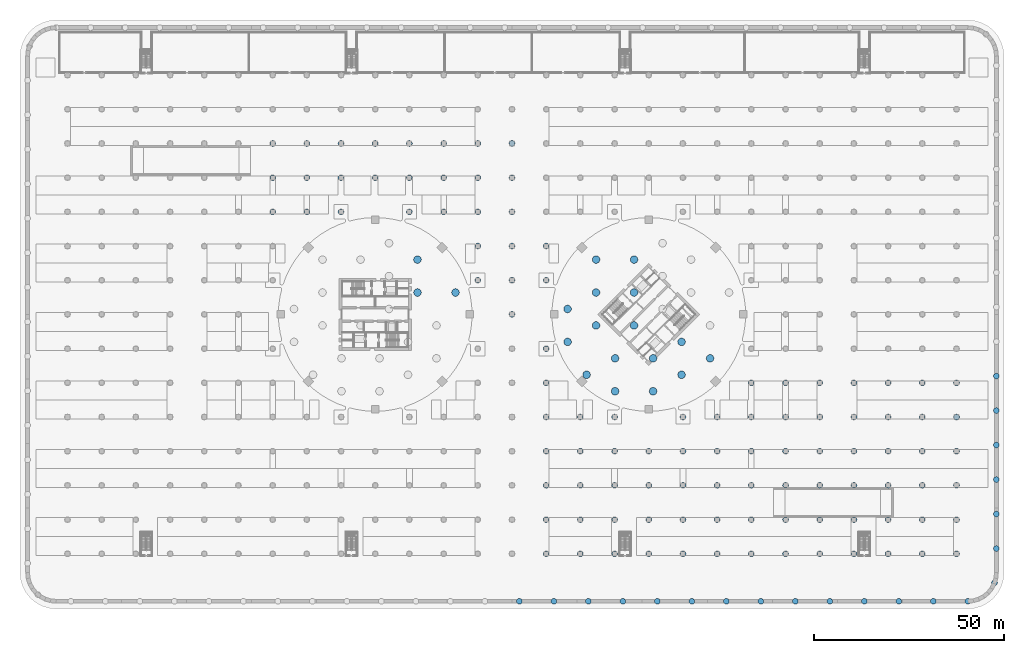
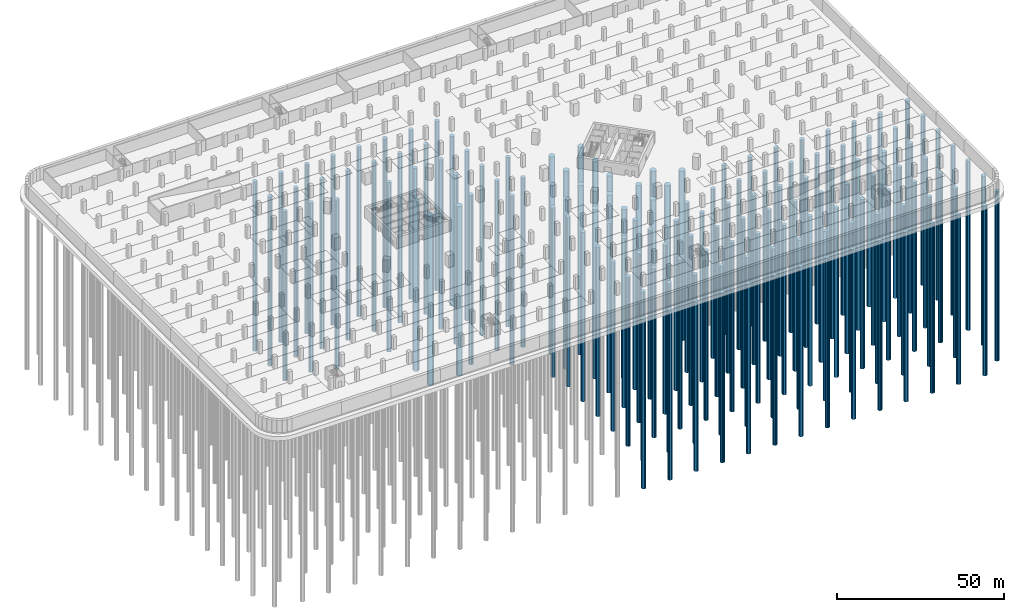
# One storey, part 3 of 39: 143 piles.
"""IFC4 building model written with IfcOpenShell, lengths in metres."""

from ifc_helpers import new_model, si_unit, direction, frame, origin, origin_2d, place, context, subcontext, project, spatial, circle, extrude, material, material_profile, profile_set, type_object, element, save


model = new_model("IFC4")

# Units and contexts
model_context = context("Model", 3, precision=1e-05, world=origin(), true_north=direction((0.0, 1.0)))
body_context = subcontext(model_context, "Body", "Model", "MODEL_VIEW")
ifc_project = project(units=[si_unit("LENGTHUNIT", "METRE"), si_unit("AREAUNIT", "SQUARE_METRE"), si_unit("VOLUMEUNIT", "CUBIC_METRE"), si_unit("PLANEANGLEUNIT", "RADIAN"), si_unit("MASSUNIT", "GRAM", prefix="KILO")], contexts=[model_context])

# Site, building, storey
site_placement = place(None, origin())
site = spatial("IfcSite", under=ifc_project, at=site_placement, CompositionType="ELEMENT")
building_placement = place(site_placement, origin())
building = spatial("IfcBuilding", under=site, at=building_placement, Name="Ogive Gate Towers", CompositionType="ELEMENT")
storey_placement = place(building_placement, frame((0.0, 0.0, -9.0)))
storey = spatial("IfcBuildingStorey", under=building, at=storey_placement, Name="B2", CompositionType="ELEMENT", Elevation=-9.0)

# Piles
ifc_material = material(Name="Concrete C40/50", Category="concrete")
ifc_material_profile_1 = material_profile(ifc_material, circle(Radius=0.75, at=origin_2d()), Name="BP 1500")
ifc_profile_set_1 = profile_set([ifc_material_profile_1], Name="Concrete C40/50")
pile_type_1 = type_object("IfcPileType", Name="Bored pile 1500", PredefinedType="BORED", material=ifc_profile_set_1)
for number, where, z_axis, x_axis, name in (
    (1, (-45.0, 27.0, -3.800048828125), (0.0, 0.0, -1.0), (1.0, 0.0, 0.0), "BS/B2/SPL004"),
    (2, (-27.0, 27.0, -3.800048828125), (0.0, 0.0, -1.0), (1.0, 0.0, 0.0), "BS/B2/SPL006"),
    (3, (-9.0, 9.0, -3.800048828125), (0.0, 0.0, -1.0), (1.0, 0.0, 0.0), "BS/B2/SPL008"),
    (4, (9.0, -9.0, -3.800048828125), (0.0, 0.0, -1.0), (1.0, 0.0, 0.0), "BS/B2/SPL032"),
    (5, (9.0, 9.0, -3.800048828125), (0.0, 0.0, -1.0), (1.0, 0.0, 0.0), "BS/B2/SPL033"),
    (6, (27.0, -27.0, -3.800048828125), (0.0, 0.0, -1.0), (1.0, 0.0, 0.0), "BS/B2/SPL034"),
    (7, (45.0, -27.0, -3.800048828125), (0.0, 0.0, -1.0), (1.0, 0.0, 0.0), "BS/B2/SPL036"),
    (8, (-63.0, 27.0, -1.800048828125), (0.0, 0.0, -1.0), (1.0, 0.0, 0.0), "BS/B2/SPL160"),
    (9, (-63.0, 36.0, -1.800048828125), (0.0, 0.0, -1.0), (1.0, 0.0, 0.0), "BS/B2/SPL161"),
    (10, (-63.0, 45.0, -1.800048828125), (0.0, 0.0, -1.0), (1.0, 0.0, 0.0), "BS/B2/SPL162"),
    (11, (-54.0, 27.0, -1.800048828125), (0.0, 0.0, -1.0), (1.0, 0.0, 0.0), "BS/B2/SPL170"),
    (12, (-54.0, 36.0, -1.800048828125), (0.0, 0.0, -1.0), (1.0, 0.0, 0.0), "BS/B2/SPL171"),
    (13, (-54.0, 45.0, -1.800048828125), (0.0, 0.0, -1.0), (1.0, 0.0, 0.0), "BS/B2/SPL172"),
    (14, (-45.0, 36.0, -1.800048828125), (0.0, 0.0, -1.0), (1.0, 0.0, 0.0), "BS/B2/SPL179"),
    (15, (-45.0, 45.0, -1.800048828125), (0.0, 0.0, -1.0), (1.0, 0.0, 0.0), "BS/B2/SPL180"),
    (16, (-36.0, 36.0, -1.800048828125), (0.0, 0.0, -1.0), (1.0, 0.0, 0.0), "BS/B2/SPL187"),
    (17, (-36.0, 45.0, -1.800048828125), (0.0, 0.0, -1.0), (1.0, 0.0, 0.0), "BS/B2/SPL188"),
    (18, (-27.0, 36.0, -1.800048828125), (0.0, 0.0, -1.0), (1.0, 0.0, 0.0), "BS/B2/SPL195"),
    (19, (-27.0, 45.0, -1.800048828125), (0.0, 0.0, -1.0), (1.0, 0.0, 0.0), "BS/B2/SPL196"),
    (20, (-18.0, 27.0, -1.800048828125), (0.0, 0.0, -1.0), (1.0, 0.0, 0.0), "BS/B2/SPL204"),
    (21, (-18.0, 36.0, -1.800048828125), (0.0, 0.0, -1.0), (1.0, 0.0, 0.0), "BS/B2/SPL205"),
    (22, (-18.0, 45.0, -1.800048828125), (0.0, 0.0, -1.0), (1.0, 0.0, 0.0), "BS/B2/SPL206"),
    (23, (-9.0, 18.0, -1.800048828125), (0.0, 0.0, -1.0), (1.0, 0.0, 0.0), "BS/B2/SPL215"),
    (24, (-9.0, 27.0, -1.800048828125), (0.0, 0.0, -1.0), (1.0, 0.0, 0.0), "BS/B2/SPL216"),
    (25, (-9.0, 36.0, -1.800048828125), (0.0, 0.0, -1.0), (1.0, 0.0, 0.0), "BS/B2/SPL217"),
    (26, (-9.0, 45.0, -1.800048828125), (0.0, 0.0, -1.0), (1.0, 0.0, 0.0), "BS/B2/SPL218"),
    (27, (0.0, 0.0, -1.800048828125), (0.0, 0.0, -1.0), (1.0, 0.0, 0.0), "BS/B2/SPL228"),
    (28, (0.0, 9.0, -1.800048828125), (0.0, 0.0, -1.0), (1.0, 0.0, 0.0), "BS/B2/SPL229"),
    (29, (0.0, 18.0, -1.800048828125), (0.0, 0.0, -1.0), (1.0, 0.0, 0.0), "BS/B2/SPL230"),
    (30, (0.0, 27.0, -1.800048828125), (0.0, 0.0, -1.0), (1.0, 0.0, 0.0), "BS/B2/SPL231"),
    (31, (0.0, 36.0, -1.800048828125), (0.0, 0.0, -1.0), (1.0, 0.0, 0.0), "BS/B2/SPL232"),
    (32, (0.0, 45.0, -1.800048828125), (0.0, 0.0, -1.0), (1.0, 0.0, 0.0), "BS/B2/SPL233"),
    (33, (9.0, -63.0, -1.800048828125), (0.0, 0.0, -1.0), (1.0, 0.0, 0.0), "BS/B2/SPL236"),
    (34, (9.0, -54.0, -1.800048828125), (0.0, 0.0, -1.0), (1.0, 0.0, 0.0), "BS/B2/SPL237"),
    (35, (9.0, -45.0, -1.800048828125), (0.0, 0.0, -1.0), (1.0, 0.0, 0.0), "BS/B2/SPL238"),
    (36, (9.0, -36.0, -1.800048828125), (0.0, 0.0, -1.0), (1.0, 0.0, 0.0), "BS/B2/SPL239"),
    (37, (9.0, -27.0, -1.800048828125), (0.0, 0.0, -1.0), (1.0, 0.0, 0.0), "BS/B2/SPL240"),
    (38, (9.0, -18.0, -1.800048828125), (0.0, 0.0, -1.0), (1.0, 0.0, 0.0), "BS/B2/SPL241"),
    (39, (9.0, 18.0, -1.800048828125), (0.0, 0.0, -1.0), (1.0, 0.0, 0.0), "BS/B2/SPL242"),
    (40, (18.0, -63.0, -1.800048828125), (0.0, 0.0, -1.0), (1.0, 0.0, 0.0), "BS/B2/SPL248"),
    (41, (18.0, -54.0, -1.800048828125), (0.0, 0.0, -1.0), (1.0, 0.0, 0.0), "BS/B2/SPL249"),
    (42, (18.0, -45.0, -1.800048828125), (0.0, 0.0, -1.0), (1.0, 0.0, 0.0), "BS/B2/SPL250"),
    (43, (18.0, -36.0, -1.800048828125), (0.0, 0.0, -1.0), (1.0, 0.0, 0.0), "BS/B2/SPL251"),
    (44, (18.0, -27.0, -1.800048828125), (0.0, 0.0, -1.0), (1.0, 0.0, 0.0), "BS/B2/SPL252"),
    (45, (27.0, -63.0, -1.800048828125), (0.0, 0.0, -1.0), (1.0, 0.0, 0.0), "BS/B2/SPL258"),
    (46, (27.0, -54.0, -1.800048828125), (0.0, 0.0, -1.0), (1.0, 0.0, 0.0), "BS/B2/SPL259"),
    (47, (27.0, -45.0, -1.800048828125), (0.0, 0.0, -1.0), (1.0, 0.0, 0.0), "BS/B2/SPL260"),
    (48, (27.0, -36.0, -1.800048828125), (0.0, 0.0, -1.0), (1.0, 0.0, 0.0), "BS/B2/SPL261"),
    (49, (36.0, -63.0, -1.800048828125), (0.0, 0.0, -1.0), (1.0, 0.0, 0.0), "BS/B2/SPL266"),
    (50, (36.0, -54.0, -1.800048828125), (0.0, 0.0, -1.0), (1.0, 0.0, 0.0), "BS/B2/SPL267"),
    (51, (36.0, -45.0, -1.800048828125), (0.0, 0.0, -1.0), (1.0, 0.0, 0.0), "BS/B2/SPL268"),
    (52, (36.0, -36.0, -1.800048828125), (0.0, 0.0, -1.0), (1.0, 0.0, 0.0), "BS/B2/SPL269"),
    (53, (45.0, -63.0, -1.800048828125), (0.0, 0.0, -1.0), (1.0, 0.0, 0.0), "BS/B2/SPL274"),
    (54, (45.0, -54.0, -1.800048828125), (0.0, 0.0, -1.0), (1.0, 0.0, 0.0), "BS/B2/SPL275"),
    (55, (45.0, -45.0, -1.800048828125), (0.0, 0.0, -1.0), (1.0, 0.0, 0.0), "BS/B2/SPL276"),
    (56, (45.0, -36.0, -1.800048828125), (0.0, 0.0, -1.0), (1.0, 0.0, 0.0), "BS/B2/SPL277"),
    (57, (54.0, -63.0, -1.800048828125), (0.0, 0.0, -1.0), (1.0, 0.0, 0.0), "BS/B2/SPL282"),
    (58, (54.0, -54.0, -1.800048828125), (0.0, 0.0, -1.0), (1.0, 0.0, 0.0), "BS/B2/SPL283"),
    (59, (54.0, -45.0, -1.800048828125), (0.0, 0.0, -1.0), (1.0, 0.0, 0.0), "BS/B2/SPL284"),
    (60, (54.0, -36.0, -1.800048828125), (0.0, 0.0, -1.0), (1.0, 0.0, 0.0), "BS/B2/SPL285"),
    (61, (54.0, -27.0, -1.800048828125), (0.0, 0.0, -1.0), (1.0, 0.0, 0.0), "BS/B2/SPL286"),
    (62, (63.0, -63.0, -1.800048828125), (0.0, 0.0, -1.0), (1.0, 0.0, 0.0), "BS/B2/SPL292"),
    (63, (63.0, -54.0, -1.800048828125), (0.0, 0.0, -1.0), (1.0, 0.0, 0.0), "BS/B2/SPL293"),
    (64, (63.0, -45.0, -1.800048828125), (0.0, 0.0, -1.0), (1.0, 0.0, 0.0), "BS/B2/SPL294"),
    (65, (63.0, -36.0, -1.800048828125), (0.0, 0.0, -1.0), (1.0, 0.0, 0.0), "BS/B2/SPL295"),
    (66, (63.0, -27.0, -1.800048828125), (0.0, 0.0, -1.0), (1.0, 0.0, 0.0), "BS/B2/SPL296"),
    (67, (63.0, -18.0, -1.800048828125), (0.0, 0.0, -1.0), (1.0, 0.0, 0.0), "BS/B2/SPL297"),
    (68, (72.0, -63.0, -1.800048828125), (0.0, 0.0, -1.0), (1.0, 0.0, 0.0), "BS/B2/SPL304"),
    (69, (72.0, -54.0, -1.800048828125), (0.0, 0.0, -1.0), (1.0, 0.0, 0.0), "BS/B2/SPL305"),
    (70, (72.0, -45.0, -1.800048828125), (0.0, 0.0, -1.0), (1.0, 0.0, 0.0), "BS/B2/SPL306"),
    (71, (72.0, -36.0, -1.800048828125), (0.0, 0.0, -1.0), (1.0, 0.0, 0.0), "BS/B2/SPL307"),
    (72, (72.0, -27.0, -1.800048828125), (0.0, 0.0, -1.0), (1.0, 0.0, 0.0), "BS/B2/SPL308"),
    (73, (72.0, -18.0, -1.800048828125), (0.0, 0.0, -1.0), (1.0, 0.0, 0.0), "BS/B2/SPL309"),
    (74, (81.0, -63.0, -1.800048828125), (0.0, 0.0, -1.0), (1.0, 0.0, 0.0), "BS/B2/SPL319"),
    (75, (81.0, -54.0, -1.800048828125), (0.0, 0.0, -1.0), (1.0, 0.0, 0.0), "BS/B2/SPL320"),
    (76, (81.0, -45.0, -1.800048828125), (0.0, 0.0, -1.0), (1.0, 0.0, 0.0), "BS/B2/SPL321"),
    (77, (81.0, -36.0, -1.800048828125), (0.0, 0.0, -1.0), (1.0, 0.0, 0.0), "BS/B2/SPL322"),
    (78, (81.0, -27.0, -1.800048828125), (0.0, 0.0, -1.0), (1.0, 0.0, 0.0), "BS/B2/SPL323"),
    (79, (81.0, -18.0, -1.800048828125), (0.0, 0.0, -1.0), (1.0, 0.0, 0.0), "BS/B2/SPL324"),
    (80, (90.0, -63.0, -1.800048828125), (0.0, 0.0, -1.0), (1.0, 0.0, 0.0), "BS/B2/SPL334"),
    (81, (90.0, -54.0, -1.800048828125), (0.0, 0.0, -1.0), (1.0, 0.0, 0.0), "BS/B2/SPL335"),
    (82, (90.0, -45.0, -1.800048828125), (0.0, 0.0, -1.0), (1.0, 0.0, 0.0), "BS/B2/SPL336"),
    (83, (90.0, -36.0, -1.800048828125), (0.0, 0.0, -1.0), (1.0, 0.0, 0.0), "BS/B2/SPL337"),
    (84, (90.0, -27.0, -1.800048828125), (0.0, 0.0, -1.0), (1.0, 0.0, 0.0), "BS/B2/SPL338"),
    (85, (90.0, -18.0, -1.800048828125), (0.0, 0.0, -1.0), (1.0, 0.0, 0.0), "BS/B2/SPL339"),
    (86, (99.0, -63.0, -1.800048828125), (0.0, 0.0, -1.0), (1.0, 0.0, 0.0), "BS/B2/SPL349"),
    (87, (99.0, -54.0, -1.800048828125), (0.0, 0.0, -1.0), (1.0, 0.0, 0.0), "BS/B2/SPL350"),
    (88, (99.0, -45.0, -1.800048828125), (0.0, 0.0, -1.0), (1.0, 0.0, 0.0), "BS/B2/SPL351"),
    (89, (99.0, -36.0, -1.800048828125), (0.0, 0.0, -1.0), (1.0, 0.0, 0.0), "BS/B2/SPL352"),
    (90, (99.0, -27.0, -1.800048828125), (0.0, 0.0, -1.0), (1.0, 0.0, 0.0), "BS/B2/SPL353"),
    (91, (99.0, -18.0, -1.800048828125), (0.0, 0.0, -1.0), (1.0, 0.0, 0.0), "BS/B2/SPL354"),
    (92, (108.0, -63.0, -1.800048828125), (0.0, 0.0, -1.0), (1.0, 0.0, 0.0), "BS/B2/SPL364"),
    (93, (108.0, -54.0, -1.800048828125), (0.0, 0.0, -1.0), (1.0, 0.0, 0.0), "BS/B2/SPL365"),
    (94, (108.0, -45.0, -1.800048828125), (0.0, 0.0, -1.0), (1.0, 0.0, 0.0), "BS/B2/SPL366"),
    (95, (108.0, -36.0, -1.800048828125), (0.0, 0.0, -1.0), (1.0, 0.0, 0.0), "BS/B2/SPL367"),
    (96, (108.0, -27.0, -1.800048828125), (0.0, 0.0, -1.0), (1.0, 0.0, 0.0), "BS/B2/SPL368"),
    (97, (108.0, -18.0, -1.800048828125), (0.0, 0.0, -1.0), (1.0, 0.0, 0.0), "BS/B2/SPL369"),
    (98, (117.0, -63.0, -1.800048828125), (0.0, 0.0, -1.0), (1.0, 0.0, 0.0), "BS/B2/SPL379"),
    (99, (117.0, -54.0, -1.800048828125), (0.0, 0.0, -1.0), (1.0, 0.0, 0.0), "BS/B2/SPL380"),
    (100, (117.0, -45.0, -1.800048828125), (0.0, 0.0, -1.0), (1.0, 0.0, 0.0), "BS/B2/SPL381"),
    (101, (117.0, -36.0, -1.800048828125), (0.0, 0.0, -1.0), (1.0, 0.0, 0.0), "BS/B2/SPL382"),
    (102, (117.0, -27.0, -1.800048828125), (0.0, 0.0, -1.0), (1.0, 0.0, 0.0), "BS/B2/SPL383"),
    (103, (117.0, -18.0, -1.800048828125), (0.0, 0.0, -1.0), (1.0, 0.0, 0.0), "BS/B2/SPL384"),
    (104, (119.97509765625, -75.5, -1.800048828125), (0.0, 0.0, -1.0), (1.0, 0.0, 0.0), "BS/B2/SPL394"),
    (105, (110.89599609375, -75.5, -1.800048828125), (0.0, 0.0, -1.0), (1.0, 0.0, 0.0), "BS/B2/SPL395"),
    (106, (101.81591796875, -75.5, -1.800048828125), (0.0, 0.0, -1.0), (1.0, 0.0, 0.0), "BS/B2/SPL396"),
    (107, (92.736083984375, -75.5, -1.800048828125), (0.0, 0.0, -1.0), (1.0, 0.0, 0.0), "BS/B2/SPL397"),
    (108, (83.656005859375, -75.5, -1.800048828125), (0.0, 0.0, -1.0), (1.0, 0.0, 0.0), "BS/B2/SPL398"),
    (109, (74.575927734375, -75.5, -1.800048828125), (0.0, 0.0, -1.0), (1.0, 0.0, 0.0), "BS/B2/SPL399"),
    (110, (65.49609375, -75.5, -1.800048828125), (0.0, 0.0, -1.0), (1.0, 0.0, 0.0), "BS/B2/SPL400"),
    (111, (56.416015625, -75.5, -1.800048828125), (0.0, 0.0, -1.0), (1.0, 0.0, 0.0), "BS/B2/SPL401"),
    (112, (47.3359375, -75.5, -1.800048828125), (0.0, 0.0, -1.0), (1.0, 0.0, 0.0), "BS/B2/SPL402"),
    (113, (38.256103515625, -75.5, -1.800048828125), (0.0, 0.0, -1.0), (1.0, 0.0, 0.0), "BS/B2/SPL403"),
    (114, (29.176025390625, -75.5, -1.800048828125), (0.0, 0.0, -1.0), (1.0, 0.0, 0.0), "BS/B2/SPL404"),
    (115, (20.095947265625, -75.5, -1.800048828125), (0.0, 0.0, -1.0), (1.0, 0.0, 0.0), "BS/B2/SPL405"),
    (116, (11.01611328125, -75.5, -1.800048828125), (0.0, 0.0, -1.0), (1.0, 0.0, 0.0), "BS/B2/SPL406"),
    (117, (1.93603515625, -75.5, -1.800048828125), (0.0, 0.0, -1.0), (1.0, 0.0, 0.0), "BS/B2/SPL407"),
    (118, (127.5, -16.22412109375, -1.800048828125), (0.0, 0.0, -1.0), (1.0, 0.0, 0.0), "BS/B2/SPL475"),
    (119, (127.5, -25.302978515625, -1.800048828125), (0.0, 0.0, -1.0), (1.0, 0.0, 0.0), "BS/B2/SPL476"),
    (120, (127.5, -34.383056640625, -1.800048828125), (0.0, 0.0, -1.0), (1.0, 0.0, 0.0), "BS/B2/SPL477"),
    (121, (127.5, -43.462890625, -1.800048828125), (0.0, 0.0, -1.0), (1.0, 0.0, 0.0), "BS/B2/SPL478"),
    (122, (127.5, -52.54296875, -1.800048828125), (0.0, 0.0, -1.0), (1.0, 0.0, 0.0), "BS/B2/SPL479"),
    (123, (127.5, -61.623046875, -1.800048828125), (0.0, 0.0, -1.0), (1.0, 0.0, 0.0), "BS/B2/SPL480"),
    (124, (126.99609375, -70.64306640625, -1.800048828125), (0.0, 0.0, -1.0), (1.0, 0.0, 0.0), "BS/B2/SPL481"),
):
    element("IfcPile", number, at=place(storey_placement, frame(where, z_axis=z_axis, x_axis=x_axis)), inside=storey, type_object=pile_type_1, Name=name, PredefinedType="BORED", context=body_context, shape_type="SweptSolid", body=[
        extrude(circle(Radius=0.75, at=origin_2d()), origin(), (0.0, 0.0, 1.0), 62.0),
    ])
ifc_material_profile_2 = material_profile(ifc_material, circle(Radius=1.0, at=origin_2d()), Name="BP 2000")
ifc_profile_set_2 = profile_set([ifc_material_profile_2], Name="Concrete C40/50")
pile_type_2 = type_object("IfcPileType", Name="Bored pile 2000", PredefinedType="BORED", material=ifc_profile_set_2)
for number, where, z_axis, x_axis, name in (
    (125, (-24.875, 5.76611328125, -3.800048828125), (0.0, 0.0, -1.0), (1.0, 0.0, 0.0), "BS/B2/SPL025"),
    (126, (-14.875, 5.76611328125, -3.800048828125), (0.0, 0.0, -1.0), (1.0, 0.0, 0.0), "BS/B2/SPL026"),
    (127, (-24.875, 14.426025390625, -3.800048828125), (0.0, 0.0, -1.0), (1.0, 0.0, 0.0), "BS/B2/SPL030"),
    (128, (27.125, -20.215087890625, -3.800048828125), (0.0, 0.0, -1.0), (1.0, 0.0, 0.0), "BS/B2/SPL040"),
    (129, (37.125, -20.215087890625, -3.800048828125), (0.0, 0.0, -1.0), (1.0, 0.0, 0.0), "BS/B2/SPL041"),
    (130, (19.625, -15.885009765625, -3.800048828125), (0.0, 0.0, -1.0), (1.0, 0.0, 0.0), "BS/B2/SPL042"),
    (131, (44.625, -15.885009765625, -3.800048828125), (0.0, 0.0, -1.0), (1.0, 0.0, 0.0), "BS/B2/SPL043"),
    (132, (27.125, -11.553955078125, -3.800048828125), (0.0, 0.0, -1.0), (1.0, 0.0, 0.0), "BS/B2/SPL044"),
    (133, (37.125, -11.553955078125, -3.800048828125), (0.0, 0.0, -1.0), (1.0, 0.0, 0.0), "BS/B2/SPL045"),
    (134, (52.125, -11.553955078125, -3.800048828125), (0.0, 0.0, -1.0), (1.0, 0.0, 0.0), "BS/B2/SPL046"),
    (135, (14.625, -7.22412109375, -3.800048828125), (0.0, 0.0, -1.0), (1.0, 0.0, 0.0), "BS/B2/SPL047"),
    (136, (44.625, -7.22412109375, -3.800048828125), (0.0, 0.0, -1.0), (1.0, 0.0, 0.0), "BS/B2/SPL048"),
    (137, (22.125, -2.89404296875, -3.800048828125), (0.0, 0.0, -1.0), (1.0, 0.0, 0.0), "BS/B2/SPL049"),
    (138, (32.125, -2.89404296875, -3.800048828125), (0.0, 0.0, -1.0), (1.0, 0.0, 0.0), "BS/B2/SPL050"),
    (139, (14.625, 1.43603515625, -3.800048828125), (0.0, 0.0, -1.0), (1.0, 0.0, 0.0), "BS/B2/SPL052"),
    (140, (22.125, 5.76611328125, -3.800048828125), (0.0, 0.0, -1.0), (1.0, 0.0, 0.0), "BS/B2/SPL054"),
    (141, (32.125, 5.76611328125, -3.800048828125), (0.0, 0.0, -1.0), (1.0, 0.0, 0.0), "BS/B2/SPL055"),
    (142, (22.125, 14.426025390625, -3.800048828125), (0.0, 0.0, -1.0), (1.0, 0.0, 0.0), "BS/B2/SPL059"),
    (143, (32.125, 14.426025390625, -3.800048828125), (0.0, 0.0, -1.0), (1.0, 0.0, 0.0), "BS/B2/SPL060"),
):
    element("IfcPile", number, at=place(storey_placement, frame(where, z_axis=z_axis, x_axis=x_axis)), inside=storey, type_object=pile_type_2, Name=name, PredefinedType="BORED", context=body_context, shape_type="SweptSolid", body=[
        extrude(circle(Radius=1.0, at=origin_2d()), origin(), (0.0, 0.0, 1.0), 62.0),
    ])

save(model, "model.ifc")
